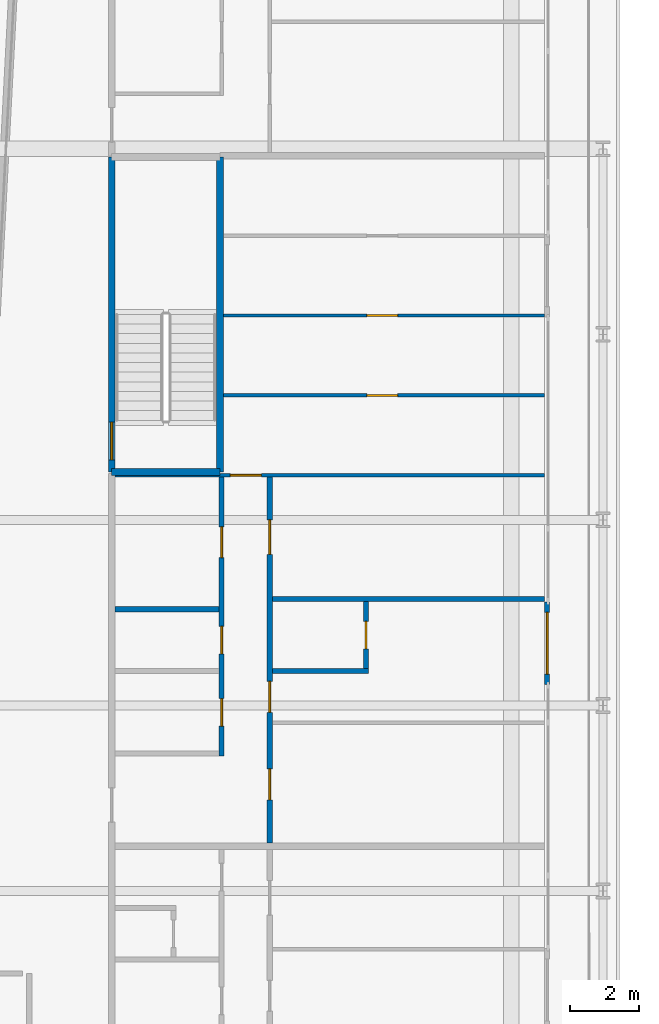
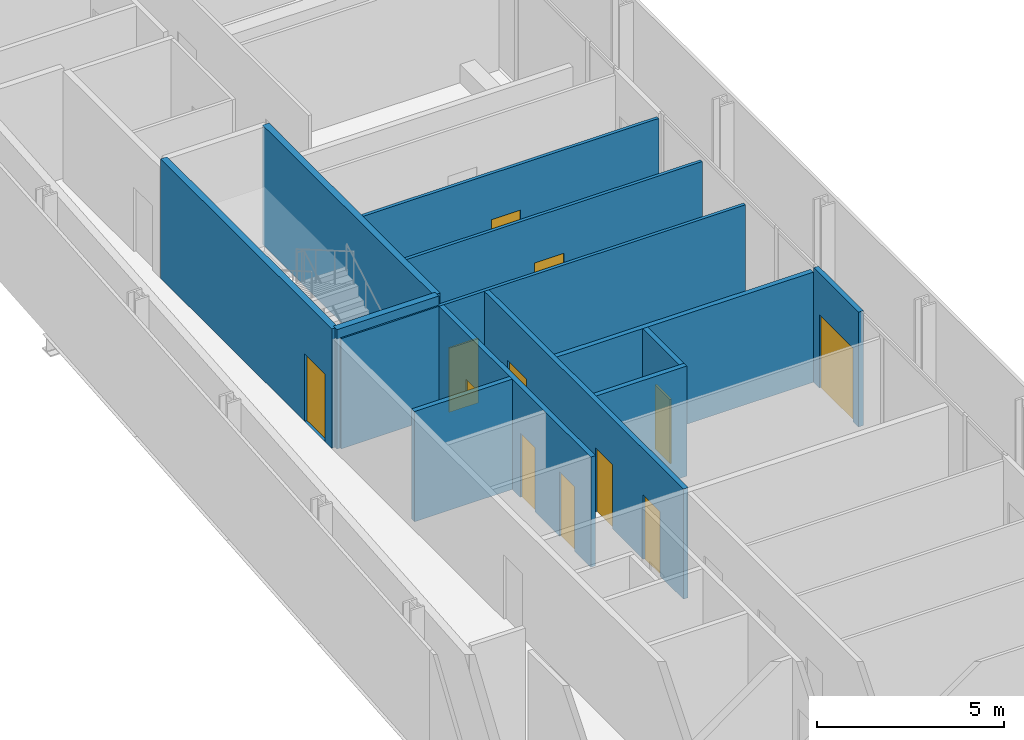
# One storey, part 19 of 29: 13 walls, 12 doors, 12 openings.
"""IFC4 building model written with IfcOpenShell, lengths in metres."""

from ifc_helpers import new_model, si_unit, direction, frame, frame_2d, origin, place, context, subcontext, project, spatial, rectangle, extrude, source, transform, mapped, material, layer, layer_set, type_object, element, fill, save


model = new_model("IFC4")

# Units and contexts
model_context = context("Model", 3, precision=1e-05, world=origin(), true_north=direction((0.0, 1.0)))
body_context = subcontext(model_context, "Body", "Model", "MODEL_VIEW")
ifc_project = project(units=[si_unit("LENGTHUNIT", "METRE"), si_unit("AREAUNIT", "SQUARE_METRE"), si_unit("VOLUMEUNIT", "CUBIC_METRE"), si_unit("PLANEANGLEUNIT", "RADIAN"), si_unit("MASSUNIT", "GRAM", prefix="KILO")], contexts=[model_context])

# Site, building, storey
site_placement = place(None, origin())
site = spatial("IfcSite", under=ifc_project, at=site_placement, CompositionType="ELEMENT")
building_placement = place(site_placement, origin())
building = spatial("IfcBuilding", under=site, at=building_placement, Name="Kheshtan School and Residences Tower", CompositionType="ELEMENT")
storey_placement = place(building_placement, frame((0.0, 0.0, 117.5)))
storey = spatial("IfcBuildingStorey", under=building, at=storey_placement, Name="L27", CompositionType="ELEMENT", Elevation=117.5)

# Wall, opening, door
ifc_material_1 = material(Name="Aluminium frame wall with insulated infill", Category="aluminium")
ifc_layer_1 = layer(ifc_material_1, 0.14990234375)
ifc_layer_set_1 = layer_set([ifc_layer_1], Name="Glazing frame wall 150")
wall_type_1 = type_object("IfcWallType", Name="Glazing frame wall 150", PredefinedType="SOLIDWALL", material=ifc_layer_set_1)
wall_1_placement = place(storey_placement, frame((45.97509765625, 75.612060546875, 0.0), z_axis=(0.0, 0.0, 1.0), x_axis=(0.0, -1.0, 0.0)))
wall_1 = element("IfcWall", 1, at=wall_1_placement, inside=storey, type_object=wall_type_1, Name="Balcony door wall L27 8.3", PredefinedType="SOLIDWALL", context=body_context, shape_type="SweptSolid", body=[
    extrude(rectangle(XDim=2.400146484375, YDim=0.14990234375, at=frame_2d((1.2001953125, 0.0))), origin(), (0.0, 0.0, 1.0), 3.75),
])
opening_1_placement = place(wall_1_placement, frame((0.300048828125, 0.0, 0.0)))
opening_1 = element("IfcOpeningElement", 2, at=opening_1_placement, cuts=wall_1, Name="Opening BD", PredefinedType="OPENING", context=body_context, shape_type="SweptSolid", body=[
    extrude(rectangle(XDim=1.800048828125, YDim=2.39990234375, at=frame_2d((0.89990234375, 1.199951171875))), frame((0.0, 0.0849609375, 0.0), z_axis=(0.0, -1.0, 0.0), x_axis=(1.0, 0.0, 0.0)), (0.0, 0.0, 1.0), 0.169921875),
])
ifc_material_2 = material(Name="Clear low-e glass in thermally broken aluminium frame", Category="aluminium")
door_type_1 = type_object("IfcDoorType", Name="Balcony sliding door", OperationType="SLIDING_TO_LEFT", PredefinedType="DOOR", material=ifc_material_2)
shared_shape_1 = source(origin(), body_context, "Body", "SweptSolid", [
    extrude(rectangle(XDim=1.800048828125, YDim=2.39990234375, at=frame_2d((0.89990234375, 1.199951171875))), frame((0.0, 0.02490234375, 0.0), z_axis=(0.0, -1.0, 0.0), x_axis=(1.0, 0.0, 0.0)), (0.0, 0.0, 1.0), 0.050048828125),
])
door_1_placement = place(opening_1_placement, origin())
door_1 = element("IfcDoor", 3, at=door_1_placement, inside=storey, type_object=door_type_1, Name="Balcony door L27 8.3", OperationType="SLIDING_TO_LEFT", OverallHeight=2.39990234375, OverallWidth=1.800048828125, PredefinedType="DOOR", context=body_context, shape_type="MappedRepresentation", body=[
    mapped(shared_shape_1, transform((0.0, 0.0, 0.0), x_axis=(1.0, 0.0, 0.0), y_axis=(0.0, 1.0, 0.0), z_axis=(0.0, 0.0, 1.0), scale=1.0)),
])
fill(opening_1, door_1)

ifc_material_3 = material(Name="Gypsum board on steel studs", Category="steel")
ifc_layer_2 = layer(ifc_material_3, 0.10009765625)
ifc_layer_set_2 = layer_set([ifc_layer_2], Name="Gypsum partition 100")
wall_type_2 = type_object("IfcWallType", Name="Gypsum partition 100", PredefinedType="PARTITIONING", material=ifc_layer_set_2)
wall_2_placement = place(storey_placement, frame((33.39990234375, 79.300048828125, 0.0), z_axis=(0.0, 0.0, 1.0), x_axis=(1.0, 0.0, 0.0)))
wall_2 = element("IfcWall", 4, at=wall_2_placement, inside=storey, type_object=wall_type_2, Name="Partition L27-016", PredefinedType="PARTITIONING", context=body_context, shape_type="SweptSolid", body=[
    extrude(rectangle(XDim=12.5, YDim=0.10009765625, at=frame_2d((6.25, 0.0))), origin(), (0.0, 0.0, 1.0), 3.60009765625),
])
opening_2_placement = place(wall_2_placement, frame((3.35498046875, 0.0, 0.0)))
opening_2 = element("IfcOpeningElement", 5, at=opening_2_placement, cuts=wall_2, Name="Opening D27-056", PredefinedType="OPENING", context=body_context, shape_type="SweptSolid", body=[
    extrude(rectangle(XDim=0.89990234375, YDim=2.10009765625, at=frame_2d((0.449951171875, 1.050048828125))), frame((0.0, 0.06005859375, 0.0), z_axis=(0.0, -1.0, 0.0), x_axis=(1.0, 0.0, 0.0)), (0.0, 0.0, 1.0), 0.1201171875),
])
ifc_material_4 = material(Name="Veneered timber door leaf", Category="wood")
door_type_2 = type_object("IfcDoorType", Name="Door 900 x 2100", OperationType="SINGLE_SWING_LEFT", PredefinedType="DOOR", material=ifc_material_4)
shared_shape_2 = source(origin(), body_context, "Body", "SweptSolid", [
    extrude(rectangle(XDim=0.89990234375, YDim=2.10009765625, at=frame_2d((0.449951171875, 1.050048828125))), frame((0.0, 0.02490234375, 0.0), z_axis=(0.0, -1.0, 0.0), x_axis=(1.0, 0.0, 0.0)), (0.0, 0.0, 1.0), 0.050048828125),
])
door_2_placement = place(opening_2_placement, origin())
door_2 = element("IfcDoor", 6, at=door_2_placement, inside=storey, type_object=door_type_2, Name="Door D27-056", OperationType="SINGLE_SWING_LEFT", OverallHeight=2.10009765625, OverallWidth=0.89990234375, PredefinedType="DOOR", context=body_context, shape_type="MappedRepresentation", body=[
    mapped(shared_shape_2, transform((0.0, 0.0, 0.0), x_axis=(1.0, 0.0, 0.0), y_axis=(0.0, 1.0, 0.0), z_axis=(0.0, 0.0, 1.0), scale=1.0)),
])
fill(opening_2, door_2)

wall_3_placement = place(storey_placement, frame((36.549072265625, 81.625, 0.0), z_axis=(0.0, 0.0, 1.0), x_axis=(1.0, 0.0, 0.0)))
wall_3 = element("IfcWall", 7, at=wall_3_placement, inside=storey, type_object=wall_type_2, Name="Partition L27-028", PredefinedType="PARTITIONING", context=body_context, shape_type="SweptSolid", body=[
    extrude(rectangle(XDim=9.350830078125, YDim=0.10009765625, at=frame_2d((4.67529296875, 0.0))), origin(), (0.0, 0.0, 1.0), 3.60009765625),
])
opening_3_placement = place(wall_3_placement, frame((4.176025390625, 0.0, 0.0)))
opening_3 = element("IfcOpeningElement", 8, at=opening_3_placement, cuts=wall_3, Name="Opening D27-057", PredefinedType="OPENING", context=body_context, shape_type="SweptSolid", body=[
    extrude(rectangle(XDim=0.89990234375, YDim=2.10009765625, at=frame_2d((0.449951171875, 1.050048828125))), frame((0.0, 0.06005859375, 0.0), z_axis=(0.0, -1.0, 0.0), x_axis=(1.0, 0.0, 0.0)), (0.0, 0.0, 1.0), 0.1201171875),
])
door_3_placement = place(opening_3_placement, origin())
door_3 = element("IfcDoor", 9, at=door_3_placement, inside=storey, type_object=door_type_2, Name="Door D27-057", OperationType="SINGLE_SWING_RIGHT", OverallHeight=2.10009765625, OverallWidth=0.89990234375, PredefinedType="DOOR", context=body_context, shape_type="MappedRepresentation", body=[
    mapped(shared_shape_2, transform((0.0, 0.0, 0.0), x_axis=(1.0, 0.0, 0.0), y_axis=(0.0, 1.0, 0.0), z_axis=(0.0, 0.0, 1.0), scale=1.0)),
])
fill(opening_3, door_3)

wall_4_placement = place(storey_placement, frame((36.549072265625, 83.949951171875, 0.0), z_axis=(0.0, 0.0, 1.0), x_axis=(1.0, 0.0, 0.0)))
wall_4 = element("IfcWall", 10, at=wall_4_placement, inside=storey, type_object=wall_type_2, Name="Partition L27-029", PredefinedType="PARTITIONING", context=body_context, shape_type="SweptSolid", body=[
    extrude(rectangle(XDim=9.350830078125, YDim=0.10009765625, at=frame_2d((4.67529296875, 0.0))), origin(), (0.0, 0.0, 1.0), 3.60009765625),
])
opening_4_placement = place(wall_4_placement, frame((4.176025390625, 0.0, 0.0)))
opening_4 = element("IfcOpeningElement", 11, at=opening_4_placement, cuts=wall_4, Name="Opening D27-058", PredefinedType="OPENING", context=body_context, shape_type="SweptSolid", body=[
    extrude(rectangle(XDim=0.89990234375, YDim=2.10009765625, at=frame_2d((0.449951171875, 1.050048828125))), frame((0.0, 0.06005859375, 0.0), z_axis=(0.0, -1.0, 0.0), x_axis=(1.0, 0.0, 0.0)), (0.0, 0.0, 1.0), 0.1201171875),
])
door_4_placement = place(opening_4_placement, origin())
door_4 = element("IfcDoor", 12, at=door_4_placement, inside=storey, type_object=door_type_2, Name="Door D27-058", OperationType="SINGLE_SWING_RIGHT", OverallHeight=2.10009765625, OverallWidth=0.89990234375, PredefinedType="DOOR", context=body_context, shape_type="MappedRepresentation", body=[
    mapped(shared_shape_2, transform((0.0, 0.0, 0.0), x_axis=(1.0, 0.0, 0.0), y_axis=(0.0, 1.0, 0.0), z_axis=(0.0, 0.0, 1.0), scale=1.0)),
])
fill(opening_4, door_4)

# Wall
ifc_material_5 = material(Name="Concrete C40/50", Category="concrete")
ifc_layer_3 = layer(ifc_material_5, 0.199951171875)
ifc_layer_set_3 = layer_set([ifc_layer_3], Name="Stair enclosure wall 200 Concrete C40/50")
wall_type_3 = type_object("IfcWallType", Name="Stair enclosure wall 200 Concrete C40/50", PredefinedType="SHEAR", material=ifc_layer_set_3)
wall_5_placement = place(storey_placement, frame((33.300048828125, 79.39990234375, 0.0), z_axis=(0.0, 0.0, 1.0), x_axis=(1.0, 0.0, 0.0)))
element("IfcWall", 13, at=wall_5_placement, inside=storey, type_object=wall_type_3, Name="Stair enclosure wall ST3", PredefinedType="SHEAR", context=body_context, shape_type="SweptSolid", body=[
    extrude(rectangle(XDim=3.14990234375, YDim=0.199951171875, at=frame_2d((1.574951171875, 0.0))), origin(), (0.0, 0.0, 1.0), 3.89990234375),
])

# Wall, opening, door
wall_6_placement = place(storey_placement, frame((33.300048828125, 79.39990234375, 0.0), z_axis=(0.0, 0.0, 1.0), x_axis=(0.0, 1.0, 0.0)))
wall_6 = element("IfcWall", 14, at=wall_6_placement, inside=storey, type_object=wall_type_3, Name="Stair enclosure wall ST3", PredefinedType="SHEAR", context=body_context, shape_type="SweptSolid", body=[
    extrude(rectangle(XDim=9.16015625, YDim=0.199951171875, at=frame_2d((4.580078125, 0.0))), origin(), (0.0, 0.0, 1.0), 3.89990234375),
])
opening_5_placement = place(wall_6_placement, frame((0.35009765625, 0.0, 0.0)))
opening_5 = element("IfcOpeningElement", 15, at=opening_5_placement, cuts=wall_6, Name="Opening ST3D", PredefinedType="OPENING", context=body_context, shape_type="SweptSolid", body=[
    extrude(rectangle(XDim=1.10009765625, YDim=2.199951171875, at=frame_2d((0.550048828125, 1.10009765625))), frame((0.0, 0.10986328125, 0.0), z_axis=(0.0, -1.0, 0.0), x_axis=(1.0, 0.0, 0.0)), (0.0, 0.0, 1.0), 0.219970703125),
])
ifc_material_6 = material(Name="Steel door leaf, galvanised", Category="steel")
door_type_3 = type_object("IfcDoorType", Name="Stair door 1100 steel 90 min", OperationType="SINGLE_SWING_LEFT", PredefinedType="DOOR", material=ifc_material_6)
shared_shape_3 = source(origin(), body_context, "Body", "SweptSolid", [
    extrude(rectangle(XDim=1.10009765625, YDim=2.199951171875, at=frame_2d((0.550048828125, 1.10009765625))), frame((0.0, 0.02490234375, 0.0), z_axis=(0.0, -1.0, 0.0), x_axis=(1.0, 0.0, 0.0)), (0.0, 0.0, 1.0), 0.050048828125),
])
door_5_placement = place(opening_5_placement, origin())
door_5 = element("IfcDoor", 16, at=door_5_placement, inside=storey, type_object=door_type_3, Name="Stair ST3 door", OperationType="SINGLE_SWING_RIGHT", OverallHeight=2.199951171875, OverallWidth=1.10009765625, PredefinedType="DOOR", context=body_context, shape_type="MappedRepresentation", body=[
    mapped(shared_shape_3, transform((0.0, 0.0, 0.0), x_axis=(1.0, 0.0, 0.0), y_axis=(0.0, 1.0, 0.0), z_axis=(0.0, 0.0, 1.0), scale=1.0)),
])
fill(opening_5, door_5)

# Walls
wall_7_placement = place(storey_placement, frame((36.449951171875, 79.39990234375, 0.0), z_axis=(0.0, 0.0, 1.0), x_axis=(0.0, 1.0, 0.0)))
element("IfcWall", 17, at=wall_7_placement, inside=storey, type_object=wall_type_3, Name="Stair enclosure wall ST3", PredefinedType="SHEAR", context=body_context, shape_type="SweptSolid", body=[
    extrude(rectangle(XDim=9.16015625, YDim=0.199951171875, at=frame_2d((4.580078125, 0.0))), origin(), (0.0, 0.0, 1.0), 3.89990234375),
])
ifc_material_7 = material(Name="Moisture-resistant gypsum board on steel studs", Category="steel")
ifc_layer_4 = layer(ifc_material_7, 0.14990234375)
ifc_layer_set_4 = layer_set([ifc_layer_4], Name="Wet-room partition 150")
wall_type_4 = type_object("IfcWallType", Name="Wet-room partition 150", PredefinedType="PARTITIONING", material=ifc_layer_set_4)
wall_8_placement = place(storey_placement, frame((33.39990234375, 75.39990234375, 0.0), z_axis=(0.0, 0.0, 1.0), x_axis=(1.0, 0.0, 0.0)))
element("IfcWall", 18, at=wall_8_placement, inside=storey, type_object=wall_type_4, Name="Partition L27-015", PredefinedType="PARTITIONING", context=body_context, shape_type="SweptSolid", body=[
    extrude(rectangle(XDim=3.025146484375, YDim=0.14990234375, at=frame_2d((1.5126953125, 0.0))), origin(), (0.0, 0.0, 1.0), 3.60009765625),
])

# Wall, openings, doors
wall_9_placement = place(storey_placement, frame((36.5, 71.125, 0.0), z_axis=(0.0, 0.0, 1.0), x_axis=(0.0, 1.0, 0.0)))
wall_9 = element("IfcWall", 19, at=wall_9_placement, inside=storey, type_object=wall_type_4, Name="Partition L27-024", PredefinedType="PARTITIONING", context=body_context, shape_type="SweptSolid", body=[
    extrude(rectangle(XDim=8.125, YDim=0.14990234375, at=frame_2d((4.0625, 0.0))), origin(), (0.0, 0.0, 1.0), 3.60009765625),
])
opening_6_placement = place(wall_9_placement, frame((0.875, 0.0, 0.0)))
opening_6 = element("IfcOpeningElement", 20, at=opening_6_placement, cuts=wall_9, Name="Opening D27-048", PredefinedType="OPENING", context=body_context, shape_type="SweptSolid", body=[
    extrude(rectangle(XDim=0.800048828125, YDim=2.10009765625, at=frame_2d((0.39990234375, 1.050048828125))), frame((0.0, 0.0849609375, 0.0), z_axis=(0.0, -1.0, 0.0), x_axis=(1.0, 0.0, 0.0)), (0.0, 0.0, 1.0), 0.169921875),
])
opening_7_placement = place(wall_9_placement, frame((5.77490234375, 0.0, 0.0)))
opening_7 = element("IfcOpeningElement", 21, at=opening_7_placement, cuts=wall_9, Name="Opening D27-052", PredefinedType="OPENING", context=body_context, shape_type="SweptSolid", body=[
    extrude(rectangle(XDim=0.89990234375, YDim=2.10009765625, at=frame_2d((0.449951171875, 1.050048828125))), frame((0.0, 0.0849609375, 0.0), z_axis=(0.0, -1.0, 0.0), x_axis=(1.0, 0.0, 0.0)), (0.0, 0.0, 1.0), 0.169921875),
])
opening_8_placement = place(wall_9_placement, frame((2.97509765625, 0.0, 0.0)))
opening_8 = element("IfcOpeningElement", 22, at=opening_8_placement, cuts=wall_9, Name="Opening D27-055", PredefinedType="OPENING", context=body_context, shape_type="SweptSolid", body=[
    extrude(rectangle(XDim=0.800048828125, YDim=2.10009765625, at=frame_2d((0.39990234375, 1.050048828125))), frame((0.0, 0.0849609375, 0.0), z_axis=(0.0, -1.0, 0.0), x_axis=(1.0, 0.0, 0.0)), (0.0, 0.0, 1.0), 0.169921875),
])
door_type_4 = type_object("IfcDoorType", Name="Door 800 x 2100", OperationType="SINGLE_SWING_LEFT", PredefinedType="DOOR", material=ifc_material_4)
shared_shape_4 = source(origin(), body_context, "Body", "SweptSolid", [
    extrude(rectangle(XDim=0.800048828125, YDim=2.10009765625, at=frame_2d((0.39990234375, 1.050048828125))), frame((0.0, 0.02490234375, 0.0), z_axis=(0.0, -1.0, 0.0), x_axis=(1.0, 0.0, 0.0)), (0.0, 0.0, 1.0), 0.050048828125),
])
door_6_placement = place(opening_6_placement, origin())
door_6 = element("IfcDoor", 23, at=door_6_placement, inside=storey, type_object=door_type_4, Name="Door D27-048", OperationType="SINGLE_SWING_LEFT", OverallHeight=2.10009765625, OverallWidth=0.800048828125, PredefinedType="DOOR", context=body_context, shape_type="MappedRepresentation", body=[
    mapped(shared_shape_4, transform((0.0, 0.0, 0.0), x_axis=(1.0, 0.0, 0.0), y_axis=(0.0, 1.0, 0.0), z_axis=(0.0, 0.0, 1.0), scale=1.0)),
])
fill(opening_6, door_6)
door_7_placement = place(opening_8_placement, origin())
door_7 = element("IfcDoor", 24, at=door_7_placement, inside=storey, type_object=door_type_4, Name="Door D27-055", OperationType="SINGLE_SWING_RIGHT", OverallHeight=2.10009765625, OverallWidth=0.800048828125, PredefinedType="DOOR", context=body_context, shape_type="MappedRepresentation", body=[
    mapped(shared_shape_4, transform((0.0, 0.0, 0.0), x_axis=(1.0, 0.0, 0.0), y_axis=(0.0, 1.0, 0.0), z_axis=(0.0, 0.0, 1.0), scale=1.0)),
])
fill(opening_8, door_7)
door_8_placement = place(opening_7_placement, origin())
door_8 = element("IfcDoor", 25, at=door_8_placement, inside=storey, type_object=door_type_2, Name="Door D27-052", OperationType="SINGLE_SWING_RIGHT", OverallHeight=2.10009765625, OverallWidth=0.89990234375, PredefinedType="DOOR", context=body_context, shape_type="MappedRepresentation", body=[
    mapped(shared_shape_2, transform((0.0, 0.0, 0.0), x_axis=(1.0, 0.0, 0.0), y_axis=(0.0, 1.0, 0.0), z_axis=(0.0, 0.0, 1.0), scale=1.0)),
])
fill(opening_7, door_8)

wall_10_placement = place(storey_placement, frame((37.89990234375, 68.60009765625, 0.0), z_axis=(0.0, 0.0, 1.0), x_axis=(0.0, 1.0, 0.0)))
wall_10 = element("IfcWall", 26, at=wall_10_placement, inside=storey, type_object=wall_type_4, Name="Partition L27-033", PredefinedType="PARTITIONING", context=body_context, shape_type="SweptSolid", body=[
    extrude(rectangle(XDim=10.64990234375, YDim=0.14990234375, at=frame_2d((5.324951171875, 0.0))), origin(), (0.0, 0.0, 1.0), 3.60009765625),
])
opening_9_placement = place(wall_10_placement, frame((1.25, 0.0, 0.0)))
opening_9 = element("IfcOpeningElement", 27, at=opening_9_placement, cuts=wall_10, Name="Opening D27-049", PredefinedType="OPENING", context=body_context, shape_type="SweptSolid", body=[
    extrude(rectangle(XDim=0.89990234375, YDim=2.10009765625, at=frame_2d((0.449951171875, 1.050048828125))), frame((0.0, 0.0849609375, 0.0), z_axis=(0.0, -1.0, 0.0), x_axis=(1.0, 0.0, 0.0)), (0.0, 0.0, 1.0), 0.169921875),
])
opening_10_placement = place(wall_10_placement, frame((8.39990234375, 0.0, 0.0)))
opening_10 = element("IfcOpeningElement", 28, at=opening_10_placement, cuts=wall_10, Name="Opening D27-053", PredefinedType="OPENING", context=body_context, shape_type="SweptSolid", body=[
    extrude(rectangle(XDim=1.0, YDim=2.10009765625, at=frame_2d((0.5, 1.050048828125))), frame((0.0, 0.0849609375, 0.0), z_axis=(0.0, -1.0, 0.0), x_axis=(1.0, 0.0, 0.0)), (0.0, 0.0, 1.0), 0.169921875),
])
opening_11_placement = place(wall_10_placement, frame((3.800048828125, 0.0, 0.0)))
opening_11 = element("IfcOpeningElement", 29, at=opening_11_placement, cuts=wall_10, Name="Opening D27-054", PredefinedType="OPENING", context=body_context, shape_type="SweptSolid", body=[
    extrude(rectangle(XDim=0.89990234375, YDim=2.10009765625, at=frame_2d((0.449951171875, 1.050048828125))), frame((0.0, 0.0849609375, 0.0), z_axis=(0.0, -1.0, 0.0), x_axis=(1.0, 0.0, 0.0)), (0.0, 0.0, 1.0), 0.169921875),
])
door_type_5 = type_object("IfcDoorType", Name="Door 1000 x 2100", OperationType="SINGLE_SWING_LEFT", PredefinedType="DOOR", material=ifc_material_4)
shared_shape_5 = source(origin(), body_context, "Body", "SweptSolid", [
    extrude(rectangle(XDim=1.0, YDim=2.10009765625, at=frame_2d((0.5, 1.050048828125))), frame((0.0, 0.02490234375, 0.0), z_axis=(0.0, -1.0, 0.0), x_axis=(1.0, 0.0, 0.0)), (0.0, 0.0, 1.0), 0.050048828125),
])
door_9_placement = place(opening_10_placement, origin())
door_9 = element("IfcDoor", 30, at=door_9_placement, inside=storey, type_object=door_type_5, Name="Door D27-053", OperationType="SINGLE_SWING_RIGHT", OverallHeight=2.10009765625, OverallWidth=1.0, PredefinedType="DOOR", context=body_context, shape_type="MappedRepresentation", body=[
    mapped(shared_shape_5, transform((0.0, 0.0, 0.0), x_axis=(1.0, 0.0, 0.0), y_axis=(0.0, 1.0, 0.0), z_axis=(0.0, 0.0, 1.0), scale=1.0)),
])
fill(opening_10, door_9)
door_10_placement = place(opening_9_placement, origin())
door_10 = element("IfcDoor", 31, at=door_10_placement, inside=storey, type_object=door_type_2, Name="Door D27-049", OperationType="SINGLE_SWING_LEFT", OverallHeight=2.10009765625, OverallWidth=0.89990234375, PredefinedType="DOOR", context=body_context, shape_type="MappedRepresentation", body=[
    mapped(shared_shape_2, transform((0.0, 0.0, 0.0), x_axis=(1.0, 0.0, 0.0), y_axis=(0.0, 1.0, 0.0), z_axis=(0.0, 0.0, 1.0), scale=1.0)),
])
fill(opening_9, door_10)
door_11_placement = place(opening_11_placement, origin())
door_11 = element("IfcDoor", 32, at=door_11_placement, inside=storey, type_object=door_type_2, Name="Door D27-054", OperationType="SINGLE_SWING_LEFT", OverallHeight=2.10009765625, OverallWidth=0.89990234375, PredefinedType="DOOR", context=body_context, shape_type="MappedRepresentation", body=[
    mapped(shared_shape_2, transform((0.0, 0.0, 0.0), x_axis=(1.0, 0.0, 0.0), y_axis=(0.0, 1.0, 0.0), z_axis=(0.0, 0.0, 1.0), scale=1.0)),
])
fill(opening_11, door_11)

# Walls
wall_11_placement = place(storey_placement, frame((37.97509765625, 73.60009765625, 0.0), z_axis=(0.0, 0.0, 1.0), x_axis=(1.0, 0.0, 0.0)))
element("IfcWall", 33, at=wall_11_placement, inside=storey, type_object=wall_type_4, Name="Partition L27-042", PredefinedType="PARTITIONING", context=body_context, shape_type="SweptSolid", body=[
    extrude(rectangle(XDim=2.7998046875, YDim=0.14990234375, at=frame_2d((1.39990234375, 0.0))), origin(), (0.0, 0.0, 1.0), 3.60009765625),
])
wall_12_placement = place(storey_placement, frame((37.97509765625, 75.699951171875, 0.0), z_axis=(0.0, 0.0, 1.0), x_axis=(1.0, 0.0, 0.0)))
element("IfcWall", 34, at=wall_12_placement, inside=storey, type_object=wall_type_4, Name="Partition L27-043", PredefinedType="PARTITIONING", context=body_context, shape_type="SweptSolid", body=[
    extrude(rectangle(XDim=7.9248046875, YDim=0.14990234375, at=frame_2d((3.96240234375, 0.0))), origin(), (0.0, 0.0, 1.0), 3.60009765625),
])

# Wall, opening, door
wall_13_placement = place(storey_placement, frame((40.699951171875, 73.675048828125, 0.0), z_axis=(0.0, 0.0, 1.0), x_axis=(0.0, 1.0, 0.0)))
wall_13 = element("IfcWall", 35, at=wall_13_placement, inside=storey, type_object=wall_type_4, Name="Partition L27-047", PredefinedType="PARTITIONING", context=body_context, shape_type="SweptSolid", body=[
    extrude(rectangle(XDim=1.949951171875, YDim=0.14990234375, at=frame_2d((0.97509765625, 0.0))), origin(), (0.0, 0.0, 1.0), 3.60009765625),
])
opening_12_placement = place(wall_13_placement, frame((0.574951171875, 0.0, 0.0)))
opening_12 = element("IfcOpeningElement", 36, at=opening_12_placement, cuts=wall_13, Name="Opening D27-050", PredefinedType="OPENING", context=body_context, shape_type="SweptSolid", body=[
    extrude(rectangle(XDim=0.800048828125, YDim=2.10009765625, at=frame_2d((0.39990234375, 1.050048828125))), frame((0.0, 0.0849609375, 0.0), z_axis=(0.0, -1.0, 0.0), x_axis=(1.0, 0.0, 0.0)), (0.0, 0.0, 1.0), 0.169921875),
])
door_12_placement = place(opening_12_placement, origin())
door_12 = element("IfcDoor", 37, at=door_12_placement, inside=storey, type_object=door_type_4, Name="Door D27-050", OperationType="SINGLE_SWING_RIGHT", OverallHeight=2.10009765625, OverallWidth=0.800048828125, PredefinedType="DOOR", context=body_context, shape_type="MappedRepresentation", body=[
    mapped(shared_shape_4, transform((0.0, 0.0, 0.0), x_axis=(1.0, 0.0, 0.0), y_axis=(0.0, 1.0, 0.0), z_axis=(0.0, 0.0, 1.0), scale=1.0)),
])
fill(opening_12, door_12)

save(model, "model.ifc")
